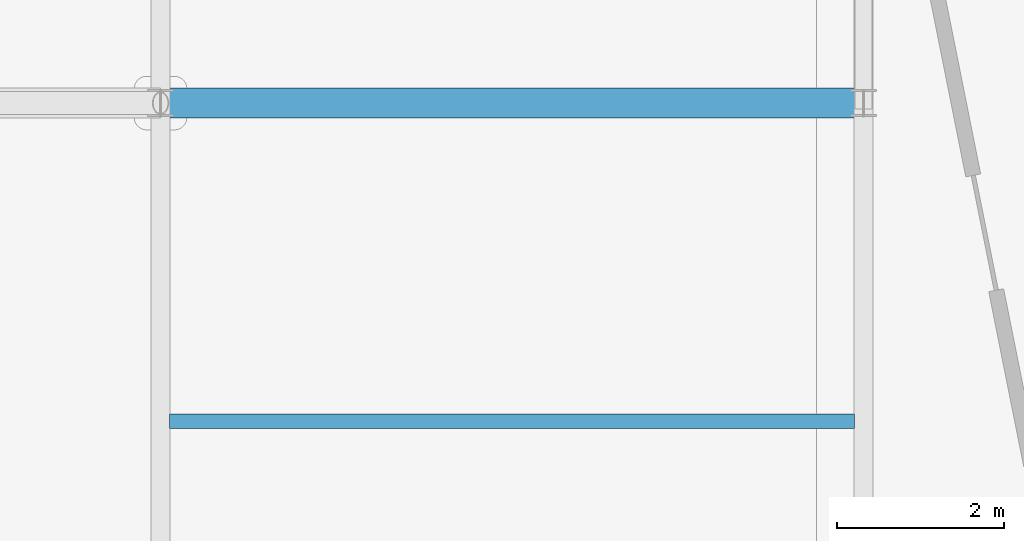
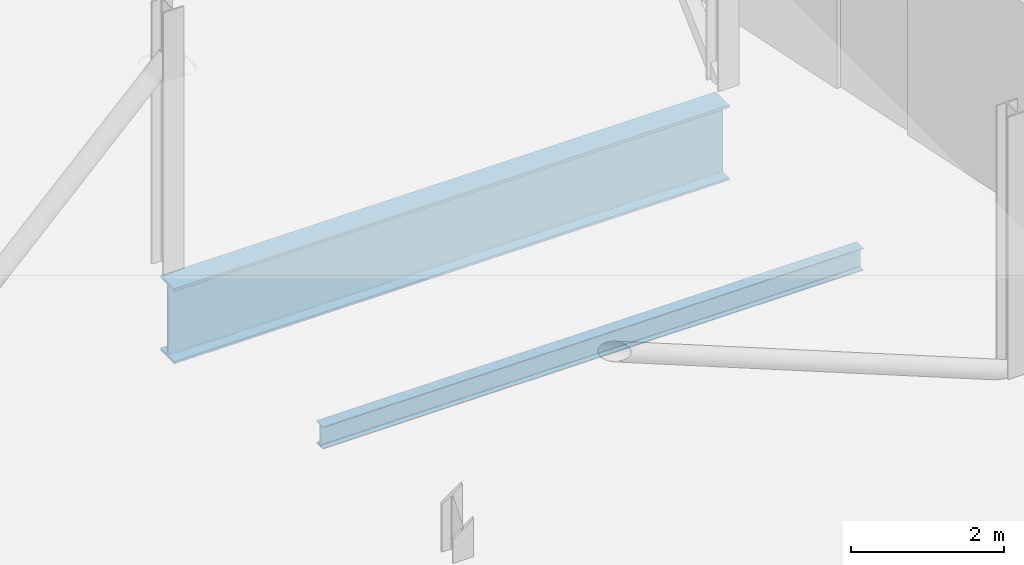
# One storey, part 22 of 151: 2 beams.
"""IFC4 building model written with IfcOpenShell, lengths in metres."""

from ifc_helpers import new_model, si_unit, direction, frame, origin, origin_2d, place, context, subcontext, project, spatial, i_section, extrude, material, material_profile, profile_set, type_object, element, save


model = new_model("IFC4")

# Units and contexts
model_context = context("Model", 3, precision=1e-05, world=origin(), true_north=direction((0.0, 1.0)))
body_context = subcontext(model_context, "Body", "Model", "MODEL_VIEW")
ifc_project = project(units=[si_unit("LENGTHUNIT", "METRE"), si_unit("AREAUNIT", "SQUARE_METRE"), si_unit("VOLUMEUNIT", "CUBIC_METRE"), si_unit("PLANEANGLEUNIT", "RADIAN"), si_unit("MASSUNIT", "GRAM", prefix="KILO")], contexts=[model_context])

# Site, building, storey
site_placement = place(None, origin())
site = spatial("IfcSite", under=ifc_project, at=site_placement, CompositionType="ELEMENT")
building_placement = place(site_placement, origin())
building = spatial("IfcBuilding", under=site, at=building_placement, Name="Zuvorla Pavilion Media Centre", CompositionType="ELEMENT")
storey_placement = place(building_placement, frame((0.0, 0.0, 13.800048828125)))
storey = spatial("IfcBuildingStorey", under=building, at=storey_placement, Name="L03", CompositionType="ELEMENT", Elevation=13.800048828125)

# Beams
ifc_material = material(Name="Steel S355", Category="steel")
ifc_material_profile_1 = material_profile(ifc_material, i_section(OverallWidth=0.360107421875, OverallDepth=1.199951171875, WebThickness=0.02001953125, FlangeThickness=0.0380859375, FilletRadius=0.02392578125, at=origin_2d()), Name="PG 1200x360x38")
ifc_profile_set_1 = profile_set([ifc_material_profile_1], Name="Steel S355")
beam_type_1 = type_object("IfcBeamType", Name="BM-PG1200", PredefinedType="BEAM", material=ifc_profile_set_1)
beam_1_placement = place(storey_placement, frame((24.800048828125, 59.199951171875, -0.858154296875), z_axis=(-1.0, 0.0, 0.0), x_axis=(0.0, -1.0, 0.0)))
element("IfcBeam", 1, at=beam_1_placement, inside=storey, type_object=beam_type_1, Name="L03 beam B01 1695", PredefinedType="BEAM", context=body_context, shape_type="SweptSolid", body=[
    extrude(i_section(OverallWidth=0.360107421875, OverallDepth=1.199951171875, WebThickness=0.02001953125, FlangeThickness=0.0380859375, FilletRadius=0.02392578125, at=origin_2d()), origin(), (0.0, 0.0, 1.0), 8.400146484375),
])
ifc_material_profile_2 = material_profile(ifc_material, i_section(OverallWidth=0.172119140625, OverallDepth=0.35791015625, WebThickness=0.008056640625, FlangeThickness=0.012939453125, FilletRadius=0.01025390625, at=origin_2d()), Name="UB 356x171x57")
ifc_profile_set_2 = profile_set([ifc_material_profile_2], Name="Steel S355")
beam_type_2 = type_object("IfcBeamType", Name="BM-UB356", PredefinedType="JOIST", material=ifc_profile_set_2)
beam_2_placement = place(storey_placement, frame((16.509521484375, 55.39990234375, -0.43701171875), z_axis=(1.0, 0.0, 0.0), x_axis=(0.0, 1.0, 0.0)))
element("IfcBeam", 2, at=beam_2_placement, inside=storey, type_object=beam_type_2, Name="L03 joist J03 1232", PredefinedType="JOIST", context=body_context, shape_type="SweptSolid", body=[
    extrude(i_section(OverallWidth=0.172119140625, OverallDepth=0.35791015625, WebThickness=0.008056640625, FlangeThickness=0.012939453125, FilletRadius=0.01025390625, at=origin_2d()), origin(), (0.0, 0.0, 1.0), 8.180908203125),
])

save(model, "model.ifc")
